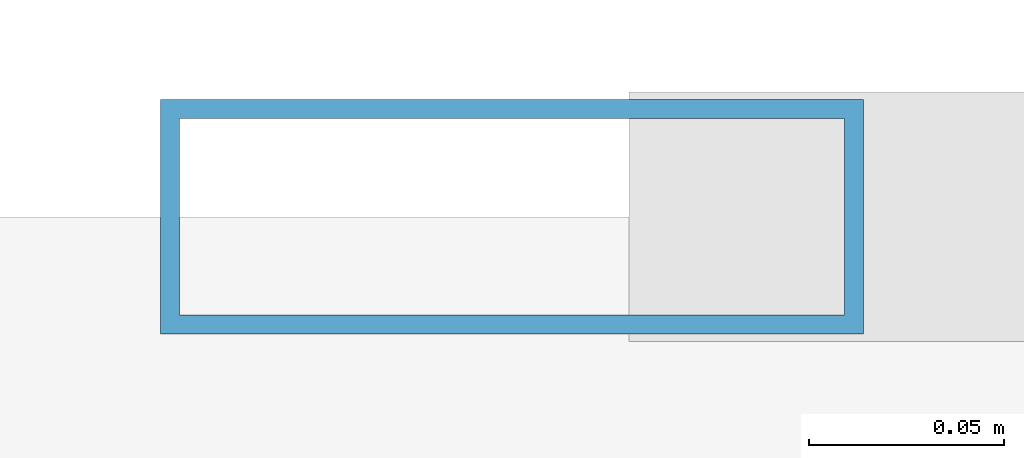
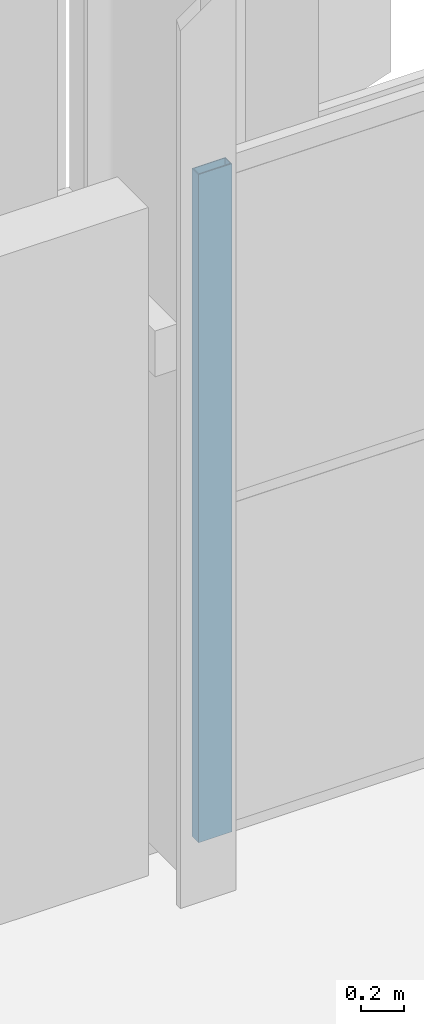
# One storey, part 82 of 210: 1 member, 1 element without a shape of its own.
"""IFC4 building model written with IfcOpenShell, lengths in metres."""

from ifc_helpers import new_model, si_unit, direction, frame, origin, origin_2d, place, context, subcontext, project, spatial, hollow_rectangle, extrude, material, material_profile, profile_set, type_object, element, aggregate, save


model = new_model("IFC4")

# Units and contexts
model_context = context("Model", 3, precision=1e-05, world=origin(), true_north=direction((0.0, 1.0)))
body_context = subcontext(model_context, "Body", "Model", "MODEL_VIEW")
ifc_project = project(units=[si_unit("LENGTHUNIT", "METRE"), si_unit("AREAUNIT", "SQUARE_METRE"), si_unit("VOLUMEUNIT", "CUBIC_METRE"), si_unit("PLANEANGLEUNIT", "RADIAN"), si_unit("MASSUNIT", "GRAM", prefix="KILO")], contexts=[model_context])

# Site, building, storey
site_placement = place(None, origin())
site = spatial("IfcSite", under=ifc_project, at=site_placement, CompositionType="ELEMENT")
building_placement = place(site_placement, origin())
building = spatial("IfcBuilding", under=site, at=building_placement, Name="Kaldris Quays Convention Centre", CompositionType="ELEMENT")
storey_placement = place(building_placement, frame((0.0, 0.0, 6.0)))
storey = spatial("IfcBuildingStorey", under=building, at=storey_placement, Name="L01", CompositionType="ELEMENT", Elevation=6.0)

# Curtain wall, member
ifc_material_1 = material(Name="Anodized aluminium AW-6060 and triple glazing", Category="aluminium")
curtain_wall_type = type_object("IfcCurtainWallType", Name="UNITISED CURTAIN WALL CW05", PredefinedType="NOTDEFINED", material=ifc_material_1)
curtain_wall_placement = place(storey_placement, origin())
curtain_wall = element("IfcCurtainWall", 1, at=curtain_wall_placement, inside=storey, type_object=curtain_wall_type, Name="L01 Unitised Curtain Wall CW05 8", PredefinedType="NOTDEFINED")
ifc_material_2 = material(Name="Anodized aluminium AW-6060", Category="aluminium")
ifc_material_profile = material_profile(ifc_material_2, hollow_rectangle(XDim=0.06005859375, YDim=0.179931640625, WallThickness=0.0048828125, at=origin_2d()), Name="RHS 180x60x5")
ifc_profile_set = profile_set([ifc_material_profile], Name="Anodized aluminium AW-6060")
member_type = type_object("IfcMemberType", Name="CURTAIN MULLION CWM2", PredefinedType="MULLION", material=ifc_profile_set)
member_placement = place(storey_placement, frame((83.280029296875, 140.0, 0.0), z_axis=(0.0, 0.0, 1.0), x_axis=(0.0, 1.0, 0.0)))
member = element("IfcMember", 2, at=member_placement, type_object=member_type, Name="CW05 mullion 1", PredefinedType="MULLION", context=body_context, shape_type="SweptSolid", body=[
    extrude(hollow_rectangle(XDim=0.06005859375, YDim=0.179931640625, WallThickness=0.0048828125, at=origin_2d()), origin(), (0.0, 0.0, 1.0), 3.800048828125),
])
aggregate(curtain_wall, [member])

save(model, "model.ifc")
